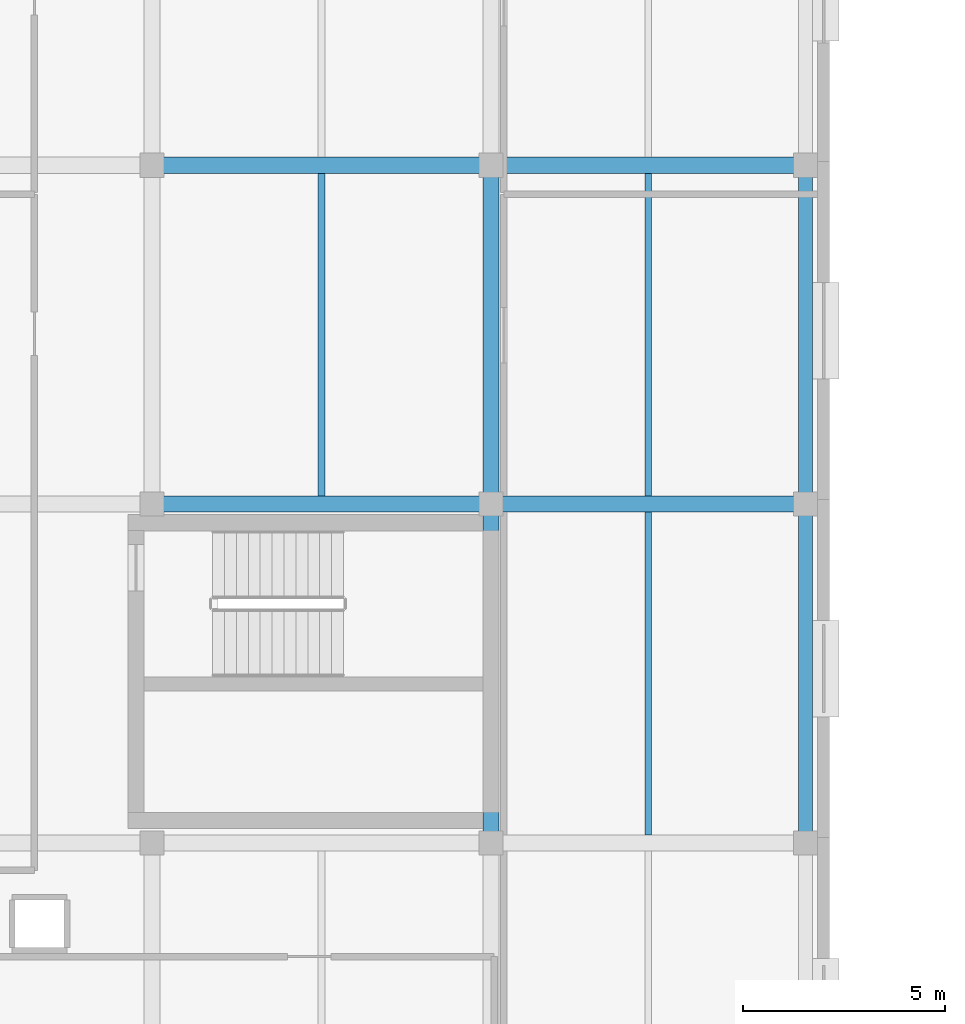
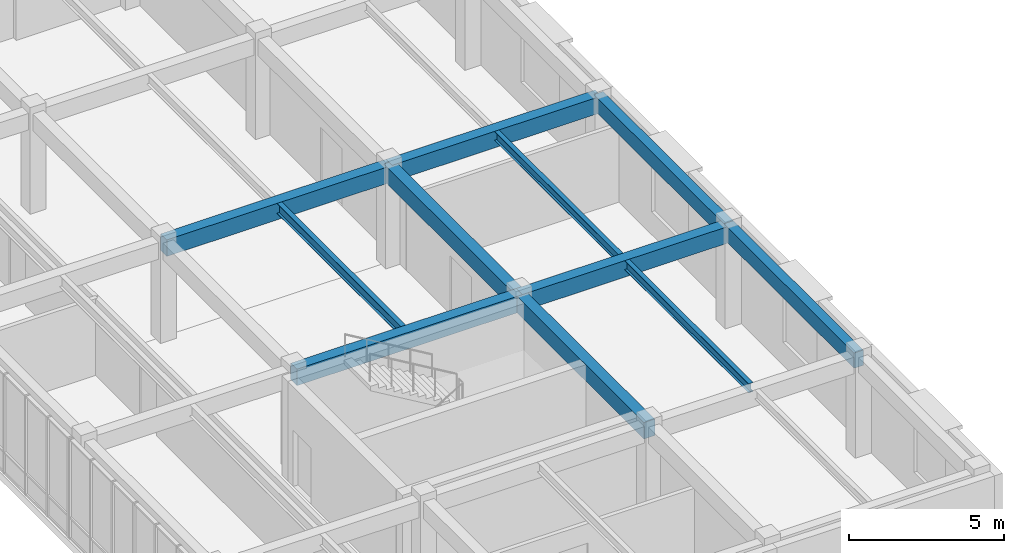
# One storey, part 31 of 123: 11 beams.
"""IFC4 building model written with IfcOpenShell, lengths in metres."""

from ifc_helpers import new_model, si_unit, direction, frame, origin, origin_2d, place, context, subcontext, project, spatial, rectangle, i_section, extrude, material, material_profile, profile_set, type_object, element, save


model = new_model("IFC4")

# Units and contexts
model_context = context("Model", 3, precision=1e-05, world=origin(), true_north=direction((0.0, 1.0)))
body_context = subcontext(model_context, "Body", "Model", "MODEL_VIEW")
ifc_project = project(units=[si_unit("LENGTHUNIT", "METRE"), si_unit("AREAUNIT", "SQUARE_METRE"), si_unit("VOLUMEUNIT", "CUBIC_METRE"), si_unit("PLANEANGLEUNIT", "RADIAN"), si_unit("MASSUNIT", "GRAM", prefix="KILO")], contexts=[model_context])

# Site, building, storey
site_placement = place(None, origin())
site = spatial("IfcSite", under=ifc_project, at=site_placement, CompositionType="ELEMENT")
building_placement = place(site_placement, origin())
building = spatial("IfcBuilding", under=site, at=building_placement, Name="Zayran Congress Hotel", CompositionType="ELEMENT")
storey_placement = place(building_placement, frame((0.0, 0.0, 15.0)))
storey = spatial("IfcBuildingStorey", under=building, at=storey_placement, Name="L03", CompositionType="ELEMENT", Elevation=15.0)

# Beams
ifc_material_1 = material(Name="Concrete C40/50", Category="concrete")
ifc_material_profile_1 = material_profile(ifc_material_1, rectangle(XDim=0.39990234375, YDim=0.64990234375, at=origin_2d()), Name="RC 400x650")
ifc_profile_set_1 = profile_set([ifc_material_profile_1], Name="Concrete C40/50")
beam_type_1 = type_object("IfcBeamType", Name="TP-BM-03", PredefinedType="BEAM", material=ifc_profile_set_1)
beam_1_placement = place(storey_placement, frame((117.60009765625, 59.199951171875, 3.594970703125), z_axis=(1.0, 0.0, 0.0), x_axis=(0.0, 1.0, 0.0)))
element("IfcBeam", 1, at=beam_1_placement, inside=storey, type_object=beam_type_1, Name="BM-V4-L03-1498", PredefinedType="BEAM", context=body_context, shape_type="SweptSolid", body=[
    extrude(rectangle(XDim=0.39990234375, YDim=0.64990234375, at=origin_2d()), origin(), (0.0, 0.0, 1.0), 8.39990234375),
])
beam_2_placement = place(storey_placement, frame((126.0, 59.199951171875, 3.594970703125), z_axis=(1.0, 0.0, 0.0), x_axis=(0.0, 1.0, 0.0)))
element("IfcBeam", 2, at=beam_2_placement, inside=storey, type_object=beam_type_1, Name="BM-V4-L03-1499", PredefinedType="BEAM", context=body_context, shape_type="SweptSolid", body=[
    extrude(rectangle(XDim=0.39990234375, YDim=0.64990234375, at=origin_2d()), origin(), (0.0, 0.0, 1.0), 7.800048828125),
])
beam_3_placement = place(storey_placement, frame((117.60009765625, 67.60009765625, 3.594970703125), z_axis=(1.0, 0.0, 0.0), x_axis=(0.0, 1.0, 0.0)))
element("IfcBeam", 3, at=beam_3_placement, inside=storey, type_object=beam_type_1, Name="BM-V4-L03-1501", PredefinedType="BEAM", context=body_context, shape_type="SweptSolid", body=[
    extrude(rectangle(XDim=0.39990234375, YDim=0.64990234375, at=origin_2d()), origin(), (0.0, 0.0, 1.0), 8.39990234375),
])
beam_4_placement = place(storey_placement, frame((126.0, 67.60009765625, 3.594970703125), z_axis=(1.0, 0.0, 0.0), x_axis=(0.0, 1.0, 0.0)))
element("IfcBeam", 4, at=beam_4_placement, inside=storey, type_object=beam_type_1, Name="BM-V4-L03-1502", PredefinedType="BEAM", context=body_context, shape_type="SweptSolid", body=[
    extrude(rectangle(XDim=0.39990234375, YDim=0.64990234375, at=origin_2d()), origin(), (0.0, 0.0, 1.0), 7.800048828125),
])
beam_5_placement = place(storey_placement, frame((126.0, 50.800048828125, 3.594970703125), z_axis=(0.0, 1.0, 0.0), x_axis=(-1.0, 0.0, 0.0)))
element("IfcBeam", 5, at=beam_5_placement, inside=storey, type_object=beam_type_1, Name="BM-V4-L03-1528", PredefinedType="BEAM", context=body_context, shape_type="SweptSolid", body=[
    extrude(rectangle(XDim=0.39990234375, YDim=0.64990234375, at=origin_2d()), origin(), (0.0, 0.0, 1.0), 8.39990234375),
])
beam_6_placement = place(storey_placement, frame((126.0, 59.199951171875, 3.594970703125), z_axis=(0.0, 1.0, 0.0), x_axis=(-1.0, 0.0, 0.0)))
element("IfcBeam", 6, at=beam_6_placement, inside=storey, type_object=beam_type_1, Name="BM-V4-L03-1529", PredefinedType="BEAM", context=body_context, shape_type="SweptSolid", body=[
    extrude(rectangle(XDim=0.39990234375, YDim=0.64990234375, at=origin_2d()), origin(), (0.0, 0.0, 1.0), 8.400146484375),
])
ifc_material_profile_2 = material_profile(ifc_material_1, rectangle(XDim=0.35009765625, YDim=0.60009765625, at=origin_2d()), Name="RC 350x600")
ifc_profile_set_2 = profile_set([ifc_material_profile_2], Name="Concrete C40/50")
beam_type_2 = type_object("IfcBeamType", Name="TP-SP-01", PredefinedType="SPANDREL", material=ifc_profile_set_2)
beam_7_placement = place(storey_placement, frame((133.800048828125, 50.800048828125, 3.6201171875), z_axis=(0.0, 1.0, 0.0), x_axis=(-1.0, 0.0, 0.0)))
element("IfcBeam", 7, at=beam_7_placement, inside=storey, type_object=beam_type_2, Name="BM-V4-L03-1535", PredefinedType="SPANDREL", context=body_context, shape_type="SweptSolid", body=[
    extrude(rectangle(XDim=0.35009765625, YDim=0.60009765625, at=origin_2d()), origin(), (0.0, 0.0, 1.0), 8.39990234375),
])
beam_8_placement = place(storey_placement, frame((133.800048828125, 59.199951171875, 3.6201171875), z_axis=(0.0, 1.0, 0.0), x_axis=(-1.0, 0.0, 0.0)))
element("IfcBeam", 8, at=beam_8_placement, inside=storey, type_object=beam_type_2, Name="BM-V4-L03-1536", PredefinedType="SPANDREL", context=body_context, shape_type="SweptSolid", body=[
    extrude(rectangle(XDim=0.35009765625, YDim=0.60009765625, at=origin_2d()), origin(), (0.0, 0.0, 1.0), 8.400146484375),
])
ifc_material_2 = material(Name="Steel S355", Category="steel")
ifc_material_profile_3 = material_profile(ifc_material_2, i_section(OverallWidth=0.179931640625, OverallDepth=0.39990234375, WebThickness=0.008544921875, FlangeThickness=0.013427734375, at=origin_2d()), Name="IPE 400")
ifc_profile_set_3 = profile_set([ifc_material_profile_3], Name="Steel S355")
beam_type_3 = type_object("IfcBeamType", Name="TP-JS-03", PredefinedType="JOIST", material=ifc_profile_set_3)
beam_9_placement = place(storey_placement, frame((121.800048828125, 59.39990234375, 3.719970703125), z_axis=(0.0, 1.0, 0.0), x_axis=(-1.0, 0.0, 0.0)))
element("IfcBeam", 9, at=beam_9_placement, inside=storey, type_object=beam_type_3, Name="JST-V4-L03-1549", PredefinedType="JOIST", context=body_context, shape_type="SweptSolid", body=[
    extrude(i_section(OverallWidth=0.179931640625, OverallDepth=0.39990234375, WebThickness=0.008544921875, FlangeThickness=0.013427734375, at=origin_2d()), origin(), (0.0, 0.0, 1.0), 8.0),
])
ifc_material_profile_4 = material_profile(ifc_material_2, i_section(OverallWidth=0.169921875, OverallDepth=0.360107421875, WebThickness=0.008056640625, FlangeThickness=0.0126953125, at=origin_2d()), Name="IPE 360")
ifc_profile_set_4 = profile_set([ifc_material_profile_4], Name="Steel S355")
beam_type_4 = type_object("IfcBeamType", Name="TP-JS-04", PredefinedType="JOIST", material=ifc_profile_set_4)
for number, where, z_axis, x_axis, name in (
    (10, (129.89990234375, 51.0, 3.739990234375), (0.0, 1.0, 0.0), (-1.0, 0.0, 0.0), "JST-V4-L03-1554"),
    (11, (129.89990234375, 59.39990234375, 3.739990234375), (0.0, 1.0, 0.0), (-1.0, 0.0, 0.0), "JST-V4-L03-1555"),
):
    element("IfcBeam", number, at=place(storey_placement, frame(where, z_axis=z_axis, x_axis=x_axis)), inside=storey, type_object=beam_type_4, Name=name, PredefinedType="JOIST", context=body_context, shape_type="SweptSolid", body=[
        extrude(i_section(OverallWidth=0.169921875, OverallDepth=0.360107421875, WebThickness=0.008056640625, FlangeThickness=0.0126953125, at=origin_2d()), origin(), (0.0, 0.0, 1.0), 8.0),
    ])

save(model, "model.ifc")
